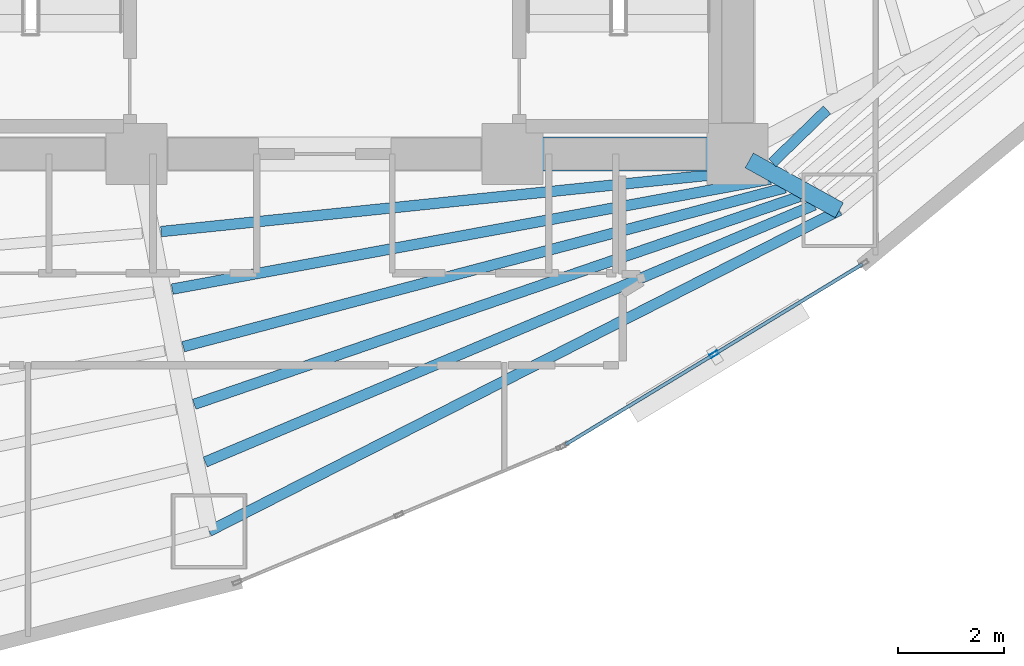
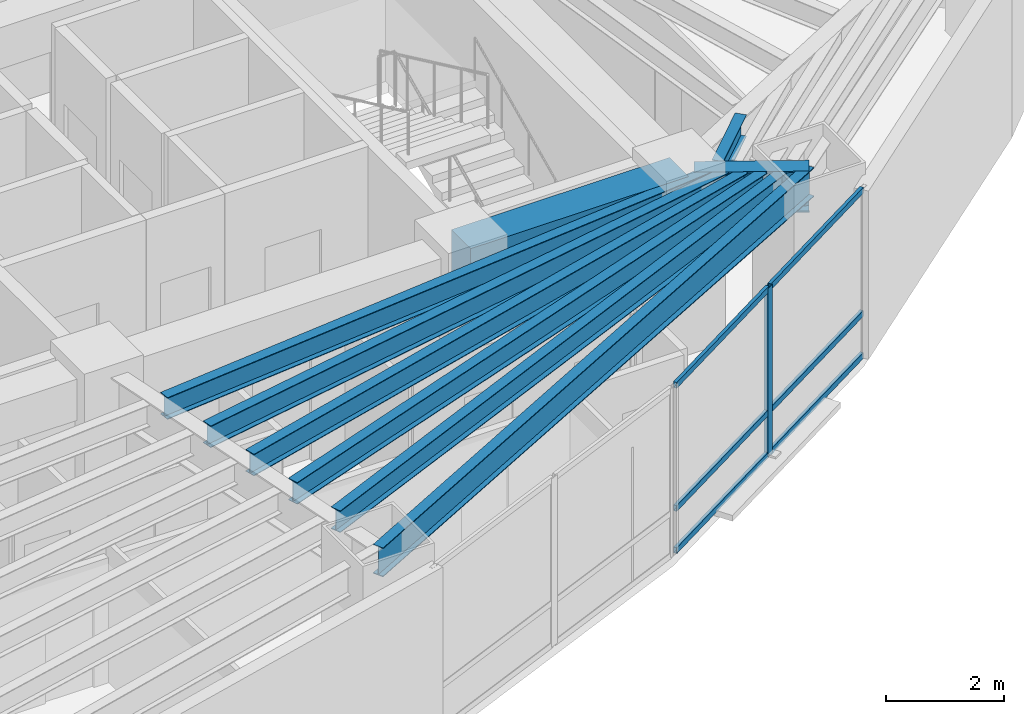
# One storey, part 5 of 17: 9 beams, 7 members, 1 element without a shape of its own.
"""IFC4 building model written with IfcOpenShell, lengths in metres."""

from ifc_helpers import new_model, si_unit, direction, frame, origin, origin_2d, place, context, subcontext, project, spatial, rectangle, hollow_rectangle, i_section, extrude, material, layer, layer_set, material_profile, profile_set, type_object, element, aggregate, save


model = new_model("IFC4")

# Units and contexts
model_context = context("Model", 3, precision=1e-05, world=origin(), true_north=direction((0.0, 1.0)))
body_context = subcontext(model_context, "Body", "Model", "MODEL_VIEW")
ifc_project = project(units=[si_unit("LENGTHUNIT", "METRE"), si_unit("AREAUNIT", "SQUARE_METRE"), si_unit("VOLUMEUNIT", "CUBIC_METRE"), si_unit("PLANEANGLEUNIT", "RADIAN"), si_unit("MASSUNIT", "GRAM", prefix="KILO")], contexts=[model_context])

# Site, building, storey
site_placement = place(None, origin())
site = spatial("IfcSite", under=ifc_project, at=site_placement, CompositionType="ELEMENT")
building_placement = place(site_placement, origin())
building = spatial("IfcBuilding", under=site, at=building_placement, Name="Menara Vayukalpa", CompositionType="ELEMENT")
storey_placement = place(building_placement, frame((0.0, 0.0, 46.199951171875)))
storey = spatial("IfcBuildingStorey", under=building, at=storey_placement, Name="L10", CompositionType="ELEMENT", Elevation=46.199951171875)

# Beams
ifc_material_1 = material(Name="Concrete C60/75", Category="concrete")
ifc_material_profile_1 = material_profile(ifc_material_1, rectangle(XDim=0.64990234375, YDim=0.85009765625, at=origin_2d()), Name="RC 650x850")
ifc_profile_set_1 = profile_set([ifc_material_profile_1], Name="Concrete C60/75")
beam_type_1 = type_object("IfcBeamType", Name="BM-CB1", PredefinedType="BEAM", material=ifc_profile_set_1)
beam_1_placement = place(storey_placement, frame((29.14990234375, 17.199951171875, 3.045166015625), z_axis=(1.0, 0.0, 0.0), x_axis=(0.0, 1.0, 0.0)))
element("IfcBeam", 1, at=beam_1_placement, inside=storey, type_object=beam_type_1, Name="L10 Core Tie Beam CBR3", PredefinedType="BEAM", context=body_context, shape_type="SweptSolid", body=[
    extrude(rectangle(XDim=0.64990234375, YDim=0.85009765625, at=origin_2d()), origin(), (0.0, 0.0, 1.0), 4.25),
])
ifc_material_2 = material(Name="Steel S355", Category="steel")
ifc_material_profile_2 = material_profile(ifc_material_2, i_section(OverallWidth=0.320068359375, OverallDepth=0.85009765625, WebThickness=0.01611328125, FlangeThickness=0.030029296875, at=origin_2d()), Name="WF 850x320x16x30")
ifc_profile_set_2 = profile_set([ifc_material_profile_2], Name="Steel S355")
beam_type_2 = type_object("IfcBeamType", Name="BM-PG2", PredefinedType="BEAM", material=ifc_profile_set_2)
beam_2_placement = place(storey_placement, frame((33.61865234375, 17.078857421875, 3.045166015625), z_axis=(0.87459548214, -0.484853320727, 0.0), x_axis=(0.484853320727, 0.87459548214, 0.0)))
element("IfcBeam", 2, at=beam_2_placement, inside=storey, type_object=beam_type_2, Name="L10 Primary Radial Girder RG09", PredefinedType="BEAM", context=body_context, shape_type="SweptSolid", body=[
    extrude(i_section(OverallWidth=0.320068359375, OverallDepth=0.85009765625, WebThickness=0.01611328125, FlangeThickness=0.030029296875, at=origin_2d()), origin(), (0.0, 0.0, 1.0), 1.943115234375),
])
ifc_material_3 = material(Name="Steel S355", Category="steel")
ifc_material_profile_3 = material_profile(ifc_material_3, i_section(OverallWidth=0.199951171875, OverallDepth=0.449951171875, WebThickness=0.009033203125, FlangeThickness=0.013916015625, at=origin_2d()), Name="WF 450x200x9x14")
ifc_profile_set_3 = profile_set([ifc_material_profile_3], Name="Steel S355")
beam_type_3 = type_object("IfcBeamType", Name="BM-SJ1", PredefinedType="JOIST", material=ifc_profile_set_3)
beam_3_placement = place(storey_placement, frame((22.514404296875, 15.735107421875, 3.2451171875), z_axis=(0.994746828953, 0.102365747631, 0.0), x_axis=(-0.102365747631, 0.994746828953, 0.0)))
element("IfcBeam", 3, at=beam_3_placement, inside=storey, type_object=beam_type_3, Name="L10 Secondary Floor Joist SJ08-1", PredefinedType="JOIST", context=body_context, shape_type="SweptSolid", body=[
    extrude(i_section(OverallWidth=0.199951171875, OverallDepth=0.449951171875, WebThickness=0.009033203125, FlangeThickness=0.013916015625, at=origin_2d()), origin(), (0.0, 0.0, 1.0), 11.29052734375),
])
beam_4_placement = place(storey_placement, frame((22.723876953125, 14.648681640625, 3.2451171875), z_axis=(0.983504975359, 0.180881075419, 0.0), x_axis=(-0.180881075419, 0.983504975359, 0.0)))
element("IfcBeam", 4, at=beam_4_placement, inside=storey, type_object=beam_type_3, Name="L10 Secondary Floor Joist SJ08-2", PredefinedType="JOIST", context=body_context, shape_type="SweptSolid", body=[
    extrude(i_section(OverallWidth=0.199951171875, OverallDepth=0.449951171875, WebThickness=0.009033203125, FlangeThickness=0.013916015625, at=origin_2d()), origin(), (0.0, 0.0, 1.0), 11.48486328125),
])
beam_5_placement = place(storey_placement, frame((22.932373046875, 13.561767578125, 3.2451171875), z_axis=(0.966863757537, 0.255292918746, 0.0), x_axis=(-0.255292918746, 0.966863757537, 0.0)))
element("IfcBeam", 5, at=beam_5_placement, inside=storey, type_object=beam_type_3, Name="L10 Secondary Floor Joist SJ08-3", PredefinedType="JOIST", context=body_context, shape_type="SweptSolid", body=[
    extrude(i_section(OverallWidth=0.199951171875, OverallDepth=0.449951171875, WebThickness=0.009033203125, FlangeThickness=0.013916015625, at=origin_2d()), origin(), (0.0, 0.0, 1.0), 11.751220703125),
])
beam_6_placement = place(storey_placement, frame((23.14013671875, 12.473876953125, 3.2451171875), z_axis=(0.945794261669, 0.324766400038, 0.0), x_axis=(-0.324766400038, 0.945794261669, 0.0)))
element("IfcBeam", 6, at=beam_6_placement, inside=storey, type_object=beam_type_3, Name="L10 Secondary Floor Joist SJ08-4", PredefinedType="JOIST", context=body_context, shape_type="SweptSolid", body=[
    extrude(i_section(OverallWidth=0.199951171875, OverallDepth=0.449951171875, WebThickness=0.009033203125, FlangeThickness=0.013916015625, at=origin_2d()), origin(), (0.0, 0.0, 1.0), 12.0849609375),
])
beam_7_placement = place(storey_placement, frame((23.34716796875, 11.385009765625, 3.2451171875), z_axis=(0.921359344435, 0.38871192215, 0.0), x_axis=(-0.38871192215, 0.921359344435, 0.0)))
element("IfcBeam", 7, at=beam_7_placement, inside=storey, type_object=beam_type_3, Name="L10 Secondary Floor Joist SJ08-5", PredefinedType="JOIST", context=body_context, shape_type="SweptSolid", body=[
    extrude(i_section(OverallWidth=0.199951171875, OverallDepth=0.449951171875, WebThickness=0.009033203125, FlangeThickness=0.013916015625, at=origin_2d()), origin(), (0.0, 0.0, 1.0), 12.48046875),
])
beam_8_placement = place(storey_placement, frame((34.0537109375, 17.03466796875, 3.2451171875), z_axis=(0.717488193219, 0.696570665899, 0.0), x_axis=(-0.696570665899, 0.717488193219, 0.0)))
element("IfcBeam", 8, at=beam_8_placement, inside=storey, type_object=beam_type_3, Name="L10 Secondary Floor Joist SJ09-1", PredefinedType="JOIST", context=body_context, shape_type="SweptSolid", body=[
    extrude(i_section(OverallWidth=0.199951171875, OverallDepth=0.449951171875, WebThickness=0.009033203125, FlangeThickness=0.013916015625, at=origin_2d()), origin(), (0.0, 0.0, 1.0), 1.435546875),
])
ifc_material_4 = material(Name="Steel S355", Category="steel")
ifc_material_profile_4 = material_profile(ifc_material_4, i_section(OverallWidth=0.199951171875, OverallDepth=0.60009765625, WebThickness=0.010986328125, FlangeThickness=0.01708984375, at=origin_2d()), Name="WF 600x200x11x17")
ifc_profile_set_4 = profile_set([ifc_material_profile_4], Name="Steel S355")
beam_type_4 = type_object("IfcBeamType", Name="BM-SP1", PredefinedType="SPANDREL", material=ifc_profile_set_4)
beam_9_placement = place(storey_placement, frame((23.41943359375, 10.0771484375, 3.170166015625), z_axis=(0.891100743313, 0.453805536841, 0.0), x_axis=(-0.453805536841, 0.891100743313, 0.0)))
element("IfcBeam", 9, at=beam_9_placement, inside=storey, type_object=beam_type_4, Name="L10 Perimeter Spandrel Beam SP08", PredefinedType="SPANDREL", context=body_context, shape_type="SweptSolid", body=[
    extrude(i_section(OverallWidth=0.199951171875, OverallDepth=0.60009765625, WebThickness=0.010986328125, FlangeThickness=0.01708984375, at=origin_2d()), origin(), (0.0, 0.0, 1.0), 13.352783203125),
])

# Curtain wall, members
ifc_material_5 = material(Name="Anodised Terracotta Aluminium Alloy 6063-T6", Category="masonry")
ifc_layer = layer(ifc_material_5, 0.1650390625)
ifc_layer_set = layer_set([ifc_layer], Name="Anodised Terracotta Aluminium Alloy 6063-T6")
curtain_wall_type = type_object("IfcCurtainWallType", Name="CW-CW2", PredefinedType="USERDEFINED", material=ifc_layer_set)
curtain_wall_placement = place(storey_placement, origin())
curtain_wall = element("IfcCurtainWall", 10, at=curtain_wall_placement, inside=storey, type_object=curtain_wall_type, Name="L10 Low Rise Terracotta Ribbon Curtain Wall CW2 17", ObjectType="UNITISED", PredefinedType="USERDEFINED")
ifc_material_6 = material(Name="Anodised Terracotta Aluminium Alloy 6063-T6", Category="masonry")
ifc_material_profile_5 = material_profile(ifc_material_6, hollow_rectangle(XDim=0.070068359375, YDim=0.1650390625, WallThickness=0.00390625, at=origin_2d()), Name="ALU 70x165x4")
ifc_profile_set_5 = profile_set([ifc_material_profile_5], Name="Anodised Terracotta Aluminium Alloy 6063-T6")
member_type_1 = type_object("IfcMemberType", Name="CWM-CW2", PredefinedType="MULLION", material=ifc_profile_set_5)
member_1_placement = place(storey_placement, frame((32.9560546875, 13.418701171875, 0.0), z_axis=(0.0, 0.0, 1.0), x_axis=(-0.519181964377, 0.854663727945, 0.0)))
member_1 = element("IfcMember", 11, at=member_1_placement, type_object=member_type_1, Name="CW2 mullion 2", PredefinedType="MULLION", context=body_context, shape_type="SweptSolid", body=[
    extrude(hollow_rectangle(XDim=0.070068359375, YDim=0.1650390625, WallThickness=0.00390625, at=origin_2d()), origin(), (0.0, 0.0, 1.0), 3.469970703125),
])
ifc_material_7 = material(Name="Anodised Terracotta Aluminium Alloy 6063-T6", Category="masonry")
ifc_material_profile_6 = material_profile(ifc_material_7, hollow_rectangle(XDim=0.06494140625, YDim=0.1201171875, WallThickness=0.00341796875, at=origin_2d()), Name="ALU 65x120x3.5")
ifc_profile_set_6 = profile_set([ifc_material_profile_6], Name="Anodised Terracotta Aluminium Alloy 6063-T6")
member_type_2 = type_object("IfcMemberType", Name="CWT-CW2", PredefinedType="USERDEFINED", material=ifc_profile_set_6)
member_2_placement = place(storey_placement, frame((30.155029296875, 11.717041015625, 0.032470703125), z_axis=(0.854676552714, 0.519160851992, 0.0), x_axis=(-0.519160851992, 0.854676552714, 0.0)))
member_2 = element("IfcMember", 12, at=member_2_placement, type_object=member_type_2, Name="CW2 transom 1.1", ObjectType="TRANSOM", PredefinedType="USERDEFINED", context=body_context, shape_type="SweptSolid", body=[
    extrude(hollow_rectangle(XDim=0.06494140625, YDim=0.1201171875, WallThickness=0.00341796875, at=origin_2d()), origin(), (0.0, 0.0, 1.0), 3.242431640625),
])
member_3_placement = place(storey_placement, frame((30.155029296875, 11.717041015625, 0.900146484375), z_axis=(0.854676552714, 0.519160851992, 0.0), x_axis=(-0.519160851992, 0.854676552714, 0.0)))
member_3 = element("IfcMember", 13, at=member_3_placement, type_object=member_type_2, Name="CW2 transom 1.2", ObjectType="TRANSOM", PredefinedType="USERDEFINED", context=body_context, shape_type="SweptSolid", body=[
    extrude(hollow_rectangle(XDim=0.06494140625, YDim=0.1201171875, WallThickness=0.00341796875, at=origin_2d()), origin(), (0.0, 0.0, 1.0), 3.242431640625),
])
member_4_placement = place(storey_placement, frame((30.155029296875, 11.717041015625, 3.4375), z_axis=(0.854676552714, 0.519160851992, 0.0), x_axis=(-0.519160851992, 0.854676552714, 0.0)))
member_4 = element("IfcMember", 14, at=member_4_placement, type_object=member_type_2, Name="CW2 transom 1.3", ObjectType="TRANSOM", PredefinedType="USERDEFINED", context=body_context, shape_type="SweptSolid", body=[
    extrude(hollow_rectangle(XDim=0.06494140625, YDim=0.1201171875, WallThickness=0.00341796875, at=origin_2d()), origin(), (0.0, 0.0, 1.0), 3.242431640625),
])
member_5_placement = place(storey_placement, frame((32.986083984375, 13.436767578125, 0.032470703125), z_axis=(0.854643142641, 0.519215849851, 0.0), x_axis=(-0.519215849851, 0.854643142641, 0.0)))
member_5 = element("IfcMember", 15, at=member_5_placement, type_object=member_type_2, Name="CW2 transom 2.1", ObjectType="TRANSOM", PredefinedType="USERDEFINED", context=body_context, shape_type="SweptSolid", body=[
    extrude(hollow_rectangle(XDim=0.06494140625, YDim=0.1201171875, WallThickness=0.00341796875, at=origin_2d()), origin(), (0.0, 0.0, 1.0), 3.24267578125),
])
member_6_placement = place(storey_placement, frame((32.986083984375, 13.436767578125, 0.900146484375), z_axis=(0.854643142641, 0.519215849851, 0.0), x_axis=(-0.519215849851, 0.854643142641, 0.0)))
member_6 = element("IfcMember", 16, at=member_6_placement, type_object=member_type_2, Name="CW2 transom 2.2", ObjectType="TRANSOM", PredefinedType="USERDEFINED", context=body_context, shape_type="SweptSolid", body=[
    extrude(hollow_rectangle(XDim=0.06494140625, YDim=0.1201171875, WallThickness=0.00341796875, at=origin_2d()), origin(), (0.0, 0.0, 1.0), 3.24267578125),
])
member_7_placement = place(storey_placement, frame((32.986083984375, 13.436767578125, 3.4375), z_axis=(0.854643142641, 0.519215849851, 0.0), x_axis=(-0.519215849851, 0.854643142641, 0.0)))
member_7 = element("IfcMember", 17, at=member_7_placement, type_object=member_type_2, Name="CW2 transom 2.3", ObjectType="TRANSOM", PredefinedType="USERDEFINED", context=body_context, shape_type="SweptSolid", body=[
    extrude(hollow_rectangle(XDim=0.06494140625, YDim=0.1201171875, WallThickness=0.00341796875, at=origin_2d()), origin(), (0.0, 0.0, 1.0), 3.24267578125),
])
aggregate(curtain_wall, [member_1, member_2, member_3, member_4, member_5, member_6, member_7])

save(model, "model.ifc")
